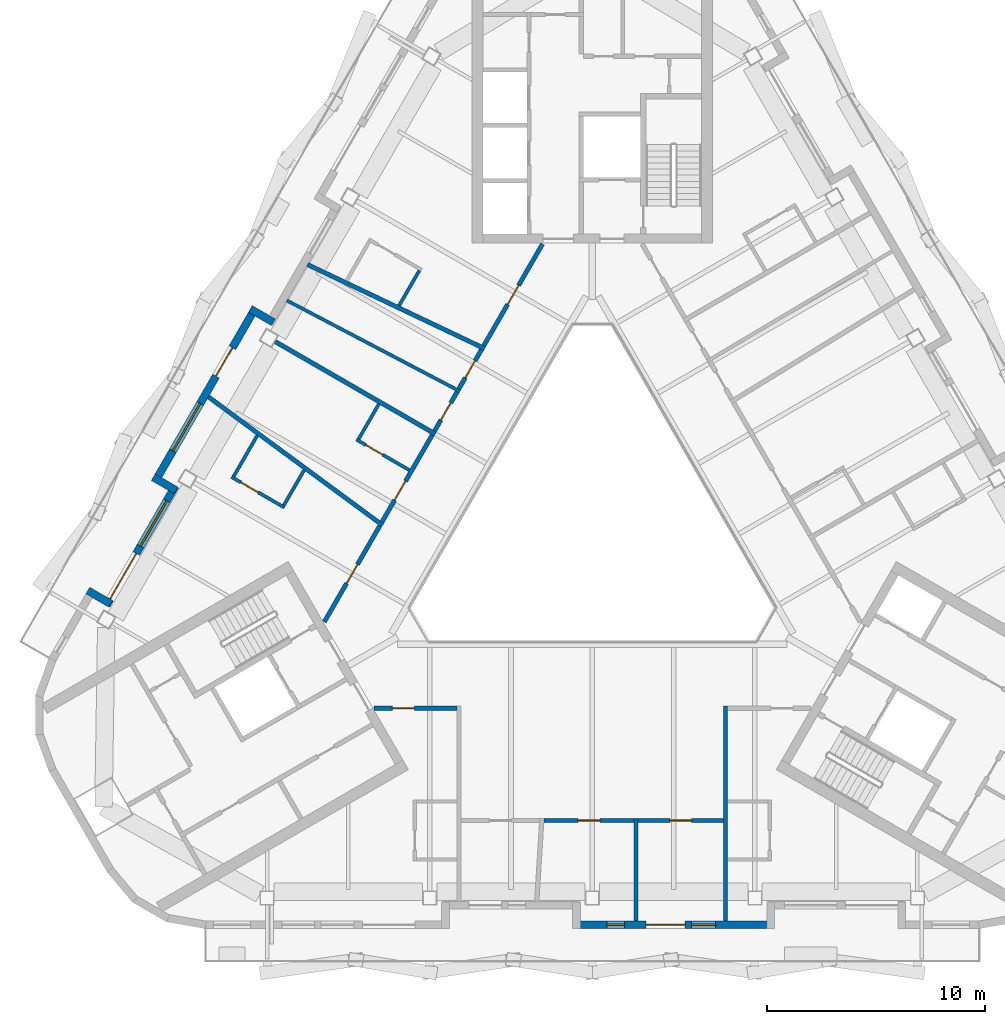
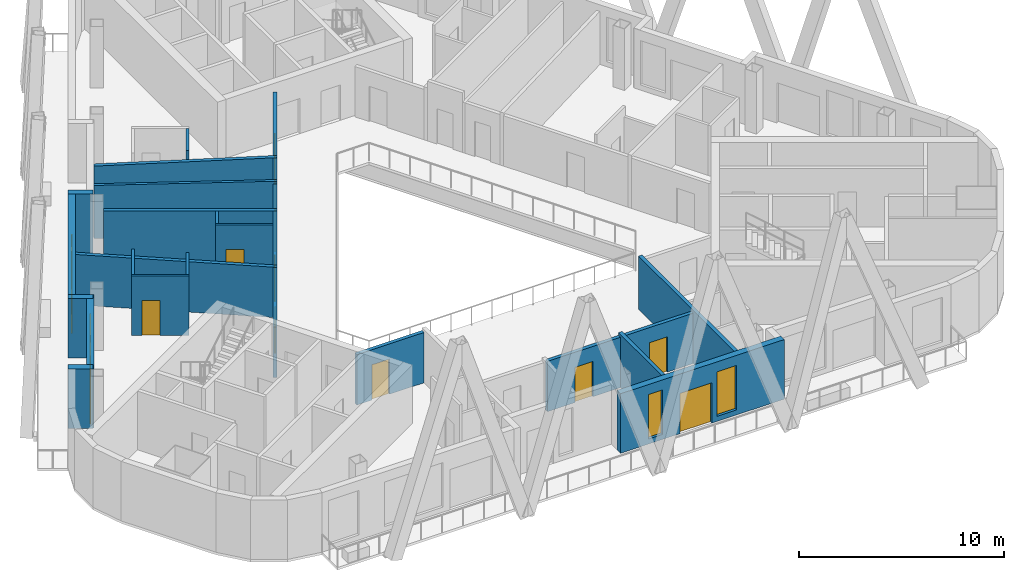
# One storey, part 4 of 14: 26 walls, 13 doors, 4 windows, 17 openings.
"""IFC4 building model written with IfcOpenShell, lengths in metres."""

from ifc_helpers import new_model, si_unit, direction, frame, frame_2d, origin, place, context, subcontext, project, spatial, rectangle, extrude, material, layer, layer_set, type_object, element, fill, save


model = new_model("IFC4")

# Units and contexts
model_context = context("Model", 3, precision=1e-05, world=origin(), true_north=direction((0.0, 1.0)))
body_context = subcontext(model_context, "Body", "Model", "MODEL_VIEW")
ifc_project = project(units=[si_unit("LENGTHUNIT", "METRE"), si_unit("AREAUNIT", "SQUARE_METRE"), si_unit("VOLUMEUNIT", "CUBIC_METRE"), si_unit("PLANEANGLEUNIT", "RADIAN"), si_unit("MASSUNIT", "GRAM", prefix="KILO")], contexts=[model_context])

# Site, building, storey
site_placement = place(None, origin())
site = spatial("IfcSite", under=ifc_project, at=site_placement, CompositionType="ELEMENT")
building_placement = place(site_placement, origin())
building = spatial("IfcBuilding", under=site, at=building_placement, Name="Apuvela Tower Hotel", CompositionType="ELEMENT")
storey_placement = place(building_placement, frame((0.0, 0.0, 268.89990234375)))
storey = spatial("IfcBuildingStorey", under=building, at=storey_placement, Name="L66", CompositionType="ELEMENT", Elevation=268.89990234375)

# Wall
ifc_material_1 = material(Name="Concrete C40/50, dark pigmented precast panel", Category="concrete")
ifc_layer_1 = layer(ifc_material_1, 0.35009765625)
ifc_layer_set_1 = layer_set([ifc_layer_1], Name="ENV-WALL-350")
wall_type_1 = type_object("IfcWallType", Name="ENV-WALL-350", PredefinedType="SOLIDWALL", material=ifc_layer_set_1)
wall_1_placement = place(storey_placement, frame((-14.5986328125, 9.265625, 0.0), z_axis=(0.0, 0.0, 1.0), x_axis=(-0.866005645448, 0.500034220881, 0.0)))
element("IfcWall", 1, at=wall_1_placement, inside=storey, type_object=wall_type_1, Name="External wall L66-04", PredefinedType="SOLIDWALL", context=body_context, shape_type="SweptSolid", body=[
    extrude(rectangle(XDim=1.22021484375, YDim=0.35009765625, at=frame_2d((0.610107421875, 0.0))), origin(), (0.0, 0.0, 1.0), 3.550048828125),
])

# Wall, openings, door, window
wall_2_placement = place(storey_placement, frame((-15.416259765625, 9.939697265625, 0.0), z_axis=(0.0, 0.0, 1.0), x_axis=(-0.500005190411, -0.866022407078, 0.0)))
wall_2 = element("IfcWall", 2, at=wall_2_placement, inside=storey, type_object=wall_type_1, Name="External wall L66-05", PredefinedType="SOLIDWALL", context=body_context, shape_type="SweptSolid", body=[
    extrude(rectangle(XDim=9.24365234375, YDim=0.35009765625, at=frame_2d((4.621826171875, 0.0))), origin(), (0.0, 0.0, 1.0), 3.550048828125),
])
opening_1_placement = place(wall_2_placement, frame((2.12353515625, 0.0, 0.0)))
opening_1 = element("IfcOpeningElement", 3, at=opening_1_placement, cuts=wall_2, Name="Opening BD15", PredefinedType="OPENING", context=body_context, shape_type="SweptSolid", body=[
    extrude(rectangle(XDim=1.5, YDim=2.39990234375, at=frame_2d((0.75, 1.199951171875))), frame((0.0, 0.18505859375, 0.0), z_axis=(0.0, -1.0, 0.0), x_axis=(1.0, 0.0, 0.0)), (0.0, 0.0, 1.0), 0.3701171875),
])
opening_2_placement = place(wall_2_placement, frame((5.072265625, 0.0, 0.300048828125)))
opening_2 = element("IfcOpeningElement", 4, at=opening_2_placement, cuts=wall_2, Name="Opening WN25", PredefinedType="OPENING", context=body_context, shape_type="SweptSolid", body=[
    extrude(rectangle(XDim=2.5, YDim=2.64990234375, at=frame_2d((1.25, 1.324951171875))), frame((0.0, 0.18505859375, 0.0), z_axis=(0.0, -1.0, 0.0), x_axis=(1.0, 0.0, 0.0)), (0.0, 0.0, 1.0), 0.3701171875),
])
ifc_material_2 = material(Name="Aluminium 6063-T6, dark bronze anodised frame with dark tinted laminated glass", Category="aluminium")
door_type_1 = type_object("IfcDoorType", Name="ENV-DOOR-BALCONY-1500x2400", OperationType="SLIDING_TO_LEFT", PredefinedType="DOOR", material=ifc_material_2)
door_1_placement = place(opening_1_placement, frame((1.5, 0.0, 0.0), z_axis=(0.0, 0.0, 1.0), x_axis=(-1.0, 0.0, 0.0)))
door_1 = element("IfcDoor", 5, at=door_1_placement, inside=storey, type_object=door_type_1, Name="Balcony door BD15", OperationType="SLIDING_TO_LEFT", OverallHeight=2.39990234375, OverallWidth=1.5, PredefinedType="DOOR", context=body_context, shape_type="SweptSolid", body=[
    extrude(rectangle(XDim=1.5, YDim=2.39990234375, at=frame_2d((0.75, 1.199951171875))), frame((0.0, 0.02490234375, 0.0), z_axis=(0.0, -1.0, 0.0), x_axis=(1.0, 0.0, 0.0)), (0.0, 0.0, 1.0), 0.050048828125),
])
fill(opening_1, door_1)
ifc_material_3 = material(Name="Glass, dark tinted laminated insulated glazing unit", Category="glass")
window_type_1 = type_object("IfcWindowType", Name="ENV-WIN-2500x2650", PartitioningType="SINGLE_PANEL", PredefinedType="WINDOW", material=ifc_material_3)
window_1_placement = place(opening_2_placement, origin())
window_1 = element("IfcWindow", 6, at=window_1_placement, inside=storey, type_object=window_type_1, Name="Window WN25", OverallHeight=2.64990234375, OverallWidth=2.5, PartitioningType="SINGLE_PANEL", PredefinedType="WINDOW", context=body_context, shape_type="SweptSolid", body=[
    extrude(rectangle(XDim=2.5, YDim=2.64990234375, at=frame_2d((1.25, 1.324951171875))), frame((0.0, 0.030029296875, 0.0), z_axis=(0.0, -1.0, 0.0), x_axis=(1.0, 0.0, 0.0)), (0.0, 0.0, 1.0), 0.06005859375),
])
fill(opening_2, window_1)

# Wall
wall_3_placement = place(storey_placement, frame((-20.10205078125, 2.173583984375, 0.0), z_axis=(0.0, 0.0, 1.0), x_axis=(0.866092288191, -0.499884134912, 0.0)))
element("IfcWall", 7, at=wall_3_placement, inside=storey, type_object=wall_type_1, Name="External wall L66-06", PredefinedType="SOLIDWALL", context=body_context, shape_type="SweptSolid", body=[
    extrude(rectangle(XDim=1.219970703125, YDim=0.35009765625, at=frame_2d((0.60986328125, 0.0))), origin(), (0.0, 0.0, 1.0), 3.550048828125),
])

# Wall, openings, door, window
wall_4_placement = place(storey_placement, frame((-19.0986328125, 1.76171875, 0.0), z_axis=(0.0, 0.0, 1.0), x_axis=(-0.500012817413, -0.866018003521, 0.0)))
wall_4 = element("IfcWall", 8, at=wall_4_placement, inside=storey, type_object=wall_type_1, Name="External wall L66-07", PredefinedType="SOLIDWALL", context=body_context, shape_type="SweptSolid", body=[
    extrude(rectangle(XDim=6.283447265625, YDim=0.35009765625, at=frame_2d((3.1416015625, 0.0))), origin(), (0.0, 0.0, 1.0), 3.550048828125),
])
opening_3_placement = place(wall_4_placement, frame((3.56298828125, 0.0, 0.0)))
opening_3 = element("IfcOpeningElement", 9, at=opening_3_placement, cuts=wall_4, Name="Opening BD24", PredefinedType="OPENING", context=body_context, shape_type="SweptSolid", body=[
    extrude(rectangle(XDim=2.39990234375, YDim=2.39990234375, at=frame_2d((1.199951171875, 1.199951171875))), frame((0.0, 0.18505859375, 0.0), z_axis=(0.0, -1.0, 0.0), x_axis=(1.0, 0.0, 0.0)), (0.0, 0.0, 1.0), 0.3701171875),
])
opening_4_placement = place(wall_4_placement, frame((0.77001953125, 0.0, 0.300048828125)))
opening_4 = element("IfcOpeningElement", 10, at=opening_4_placement, cuts=wall_4, Name="Opening WN24", PredefinedType="OPENING", context=body_context, shape_type="SweptSolid", body=[
    extrude(rectangle(XDim=2.39990234375, YDim=2.64990234375, at=frame_2d((1.199951171875, 1.324951171875))), frame((0.0, 0.18505859375, 0.0), z_axis=(0.0, -1.0, 0.0), x_axis=(1.0, 0.0, 0.0)), (0.0, 0.0, 1.0), 0.3701171875),
])
door_type_2 = type_object("IfcDoorType", Name="ENV-DOOR-BALCONY-2400x2400", OperationType="SLIDING_TO_LEFT", PredefinedType="DOOR", material=ifc_material_2)
door_2_placement = place(opening_3_placement, frame((2.39990234375, 0.0, 0.0), z_axis=(0.0, 0.0, 1.0), x_axis=(-1.0, 0.0, 0.0)))
door_2 = element("IfcDoor", 11, at=door_2_placement, inside=storey, type_object=door_type_2, Name="Balcony door BD24", OperationType="SLIDING_TO_LEFT", OverallHeight=2.39990234375, OverallWidth=2.39990234375, PredefinedType="DOOR", context=body_context, shape_type="SweptSolid", body=[
    extrude(rectangle(XDim=2.39990234375, YDim=2.39990234375, at=frame_2d((1.199951171875, 1.199951171875))), frame((0.0, 0.02490234375, 0.0), z_axis=(0.0, -1.0, 0.0), x_axis=(1.0, 0.0, 0.0)), (0.0, 0.0, 1.0), 0.050048828125),
])
fill(opening_3, door_2)
window_type_2 = type_object("IfcWindowType", Name="ENV-WIN-2400x2650", PartitioningType="SINGLE_PANEL", PredefinedType="WINDOW", material=ifc_material_3)
window_2_placement = place(opening_4_placement, origin())
window_2 = element("IfcWindow", 12, at=window_2_placement, inside=storey, type_object=window_type_2, Name="Window WN24", OverallHeight=2.64990234375, OverallWidth=2.39990234375, PartitioningType="SINGLE_PANEL", PredefinedType="WINDOW", context=body_context, shape_type="SweptSolid", body=[
    extrude(rectangle(XDim=2.39990234375, YDim=2.64990234375, at=frame_2d((1.199951171875, 1.324951171875))), frame((0.0, 0.030029296875, 0.0), z_axis=(0.0, -1.0, 0.0), x_axis=(1.0, 0.0, 0.0)), (0.0, 0.0, 1.0), 0.06005859375),
])
fill(opening_4, window_2)

# Wall
wall_5_placement = place(storey_placement, frame((-22.042236328125, -3.626953125, 0.0), z_axis=(0.0, 0.0, 1.0), x_axis=(-0.866005645448, 0.500034220881, 0.0)))
element("IfcWall", 13, at=wall_5_placement, inside=storey, type_object=wall_type_1, Name="External wall L66-08", PredefinedType="SOLIDWALL", context=body_context, shape_type="SweptSolid", body=[
    extrude(rectangle(XDim=1.22021484375, YDim=0.35009765625, at=frame_2d((0.610107421875, 0.0))), origin(), (0.0, 0.0, 1.0), 3.550048828125),
])

# Wall, openings, door, windows
wall_6_placement = place(storey_placement, frame((-0.89990234375, -18.32080078125, 0.0), z_axis=(0.0, 0.0, 1.0), x_axis=(1.0, 0.0, 0.0)))
wall_6 = element("IfcWall", 14, at=wall_6_placement, inside=storey, type_object=wall_type_1, Name="External wall L66-21", PredefinedType="SOLIDWALL", context=body_context, shape_type="SweptSolid", body=[
    extrude(rectangle(XDim=9.243408203125, YDim=0.35009765625, at=frame_2d((4.62158203125, 0.0))), origin(), (0.0, 0.0, 1.0), 3.550048828125),
])
opening_5_placement = place(wall_6_placement, frame((1.5751953125, 0.0, 0.300048828125)))
opening_5 = element("IfcOpeningElement", 15, at=opening_5_placement, cuts=wall_6, Name="Opening WN08", PredefinedType="OPENING", context=body_context, shape_type="SweptSolid", body=[
    extrude(rectangle(XDim=0.800048828125, YDim=2.64990234375, at=frame_2d((0.39990234375, 1.324951171875))), frame((0.0, 0.18505859375, 0.0), z_axis=(0.0, -1.0, 0.0), x_axis=(1.0, 0.0, 0.0)), (0.0, 0.0, 1.0), 0.3701171875),
])
opening_6_placement = place(wall_6_placement, frame((3.349609375, 0.0, 0.0)))
opening_6 = element("IfcOpeningElement", 16, at=opening_6_placement, cuts=wall_6, Name="Opening BD18", PredefinedType="OPENING", context=body_context, shape_type="SweptSolid", body=[
    extrude(rectangle(XDim=1.800048828125, YDim=2.39990234375, at=frame_2d((0.89990234375, 1.199951171875))), frame((0.0, 0.18505859375, 0.0), z_axis=(0.0, -1.0, 0.0), x_axis=(1.0, 0.0, 0.0)), (0.0, 0.0, 1.0), 0.3701171875),
])
opening_7_placement = place(wall_6_placement, frame((5.44970703125, 0.0, 0.300048828125)))
opening_7 = element("IfcOpeningElement", 17, at=opening_7_placement, cuts=wall_6, Name="Opening WN11", PredefinedType="OPENING", context=body_context, shape_type="SweptSolid", body=[
    extrude(rectangle(XDim=1.10009765625, YDim=2.64990234375, at=frame_2d((0.550048828125, 1.324951171875))), frame((0.0, 0.18505859375, 0.0), z_axis=(0.0, -1.0, 0.0), x_axis=(1.0, 0.0, 0.0)), (0.0, 0.0, 1.0), 0.3701171875),
])
door_type_3 = type_object("IfcDoorType", Name="ENV-DOOR-BALCONY-1800x2400", OperationType="SLIDING_TO_LEFT", PredefinedType="DOOR", material=ifc_material_2)
door_3_placement = place(opening_6_placement, frame((1.800048828125, 0.0, 0.0), z_axis=(0.0, 0.0, 1.0), x_axis=(-1.0, 0.0, 0.0)))
door_3 = element("IfcDoor", 18, at=door_3_placement, inside=storey, type_object=door_type_3, Name="Balcony door BD18", OperationType="SLIDING_TO_LEFT", OverallHeight=2.39990234375, OverallWidth=1.800048828125, PredefinedType="DOOR", context=body_context, shape_type="SweptSolid", body=[
    extrude(rectangle(XDim=1.800048828125, YDim=2.39990234375, at=frame_2d((0.89990234375, 1.199951171875))), frame((0.0, 0.02490234375, 0.0), z_axis=(0.0, -1.0, 0.0), x_axis=(1.0, 0.0, 0.0)), (0.0, 0.0, 1.0), 0.050048828125),
])
fill(opening_6, door_3)
window_type_3 = type_object("IfcWindowType", Name="ENV-WIN-1100x2650", PartitioningType="SINGLE_PANEL", PredefinedType="WINDOW", material=ifc_material_3)
window_3_placement = place(opening_7_placement, origin())
window_3 = element("IfcWindow", 19, at=window_3_placement, inside=storey, type_object=window_type_3, Name="Window WN11", OverallHeight=2.64990234375, OverallWidth=1.10009765625, PartitioningType="SINGLE_PANEL", PredefinedType="WINDOW", context=body_context, shape_type="SweptSolid", body=[
    extrude(rectangle(XDim=1.10009765625, YDim=2.64990234375, at=frame_2d((0.550048828125, 1.324951171875))), frame((0.0, 0.030029296875, 0.0), z_axis=(0.0, -1.0, 0.0), x_axis=(1.0, 0.0, 0.0)), (0.0, 0.0, 1.0), 0.06005859375),
])
fill(opening_7, window_3)
window_type_4 = type_object("IfcWindowType", Name="ENV-WIN-800x2650", PartitioningType="SINGLE_PANEL", PredefinedType="WINDOW", material=ifc_material_3)
window_4_placement = place(opening_5_placement, origin())
window_4 = element("IfcWindow", 20, at=window_4_placement, inside=storey, type_object=window_type_4, Name="Window WN08", OverallHeight=2.64990234375, OverallWidth=0.800048828125, PartitioningType="SINGLE_PANEL", PredefinedType="WINDOW", context=body_context, shape_type="SweptSolid", body=[
    extrude(rectangle(XDim=0.800048828125, YDim=2.64990234375, at=frame_2d((0.39990234375, 1.324951171875))), frame((0.0, 0.030029296875, 0.0), z_axis=(0.0, -1.0, 0.0), x_axis=(1.0, 0.0, 0.0)), (0.0, 0.0, 1.0), 0.06005859375),
])
fill(opening_5, window_4)

# Walls
ifc_material_4 = material(Name="Gypsum board partition on twin steel stud", Category="steel")
ifc_layer_2 = layer(ifc_material_4, 0.199951171875)
ifc_layer_set_2 = layer_set([ifc_layer_2], Name="GST-PW1")
wall_type_2 = type_object("IfcWallType", Name="GST-PW1", PredefinedType="PARTITIONING", material=ifc_layer_set_2)
wall_7_placement = place(storey_placement, frame((2.0, -18.145751953125, 0.0), z_axis=(0.0, 0.0, 1.0), x_axis=(0.0, 1.0, 0.0)))
element("IfcWall", 21, at=wall_7_placement, inside=storey, type_object=wall_type_2, Name="L66 partition 03", PredefinedType="PARTITIONING", context=body_context, shape_type="SweptSolid", body=[
    extrude(rectangle(XDim=4.699951171875, YDim=0.199951171875, at=frame_2d((2.35009765625, 0.0))), origin(), (0.0, 0.0, 1.0), 3.16015625),
])
wall_8_placement = place(storey_placement, frame((6.10009765625, -18.145751953125, 0.0), z_axis=(0.0, 0.0, 1.0), x_axis=(0.0, 1.0, 0.0)))
element("IfcWall", 22, at=wall_8_placement, inside=storey, type_object=wall_type_2, Name="L66 partition 04", PredefinedType="PARTITIONING", context=body_context, shape_type="SweptSolid", body=[
    extrude(rectangle(XDim=9.845703125, YDim=0.199951171875, at=frame_2d((4.9228515625, 0.0))), origin(), (0.0, 0.0, 1.0), 3.16015625),
])
wall_9_placement = place(storey_placement, frame((-13.0380859375, 11.908935546875, 0.0), z_axis=(0.0, 0.0, 1.0), x_axis=(0.903427417518, -0.428741065536, 0.0)))
element("IfcWall", 23, at=wall_9_placement, inside=storey, type_object=wall_type_2, Name="L66 partition 08", PredefinedType="PARTITIONING", context=body_context, shape_type="SweptSolid", body=[
    extrude(rectangle(XDim=8.974853515625, YDim=0.199951171875, at=frame_2d((4.4873046875, 0.0))), origin(), (0.0, 0.0, 1.0), 3.0),
])
wall_10_placement = place(storey_placement, frame((-14.52392578125, 8.385498046875, 0.0), z_axis=(0.0, 0.0, 1.0), x_axis=(0.866015680395, -0.500016841027, 0.0)))
element("IfcWall", 24, at=wall_10_placement, inside=storey, type_object=wall_type_2, Name="L66 partition 09", PredefinedType="PARTITIONING", context=body_context, shape_type="SweptSolid", body=[
    extrude(rectangle(XDim=8.470947265625, YDim=0.199951171875, at=frame_2d((4.2353515625, 0.0))), origin(), (0.0, 0.0, 1.0), 3.0),
])
wall_11_placement = place(storey_placement, frame((-17.57568359375, 5.849609375, 0.0), z_axis=(0.0, 0.0, 1.0), x_axis=(0.805127680306, -0.593101524535, 0.0)))
element("IfcWall", 25, at=wall_11_placement, inside=storey, type_object=wall_type_2, Name="L66 partition 10", PredefinedType="PARTITIONING", context=body_context, shape_type="SweptSolid", body=[
    extrude(rectangle(XDim=9.9072265625, YDim=0.199951171875, at=frame_2d((4.95361328125, 0.0))), origin(), (0.0, 0.0, 1.0), 3.0),
])

# Wall, opening, door
ifc_material_5 = material(Name="Gypsum board corridor wall on twin steel stud, acoustic", Category="steel")
ifc_layer_3 = layer(ifc_material_5, 0.199951171875)
ifc_layer_set_3 = layer_set([ifc_layer_3], Name="GST-PW2")
wall_type_3 = type_object("IfcWallType", Name="GST-PW2", PredefinedType="PARTITIONING", material=ifc_layer_set_3)
wall_12_placement = place(storey_placement, frame((-6.199951171875, -8.39990234375, 0.0), z_axis=(0.0, 0.0, 1.0), x_axis=(-1.0, 0.0, 0.0)))
wall_12 = element("IfcWall", 26, at=wall_12_placement, inside=storey, type_object=wall_type_3, Name="L66 partition 11", PredefinedType="PARTITIONING", context=body_context, shape_type="SweptSolid", body=[
    extrude(rectangle(XDim=3.788330078125, YDim=0.199951171875, at=frame_2d((1.89404296875, 0.0))), origin(), (0.0, 0.0, 1.0), 3.0),
])
opening_8_placement = place(wall_12_placement, frame((1.949951171875, 0.0, 0.0)))
opening_8 = element("IfcOpeningElement", 27, at=opening_8_placement, cuts=wall_12, Name="Opening GD26-02", PredefinedType="OPENING", context=body_context, shape_type="SweptSolid", body=[
    extrude(rectangle(XDim=1.0, YDim=2.10009765625, at=frame_2d((0.5, 1.050048828125))), frame((0.0, 0.10986328125, 0.0), z_axis=(0.0, -1.0, 0.0), x_axis=(1.0, 0.0, 0.0)), (0.0, 0.0, 1.0), 0.219970703125),
])
ifc_material_6 = material(Name="Timber door leaf in steel frame", Category="steel")
door_type_4 = type_object("IfcDoorType", Name="GST-D1", OperationType="NOTDEFINED", PredefinedType="DOOR", material=ifc_material_6)
door_4_placement = place(opening_8_placement, origin())
door_4 = element("IfcDoor", 28, at=door_4_placement, inside=storey, type_object=door_type_4, Name="Door L66-02", OperationType="SINGLE_SWING_LEFT", OverallHeight=2.10009765625, OverallWidth=1.0, PredefinedType="DOOR", context=body_context, shape_type="SweptSolid", body=[
    extrude(rectangle(XDim=1.0, YDim=2.10009765625, at=frame_2d((0.5, 1.050048828125))), frame((0.0, 0.02490234375, 0.0), z_axis=(0.0, -1.0, 0.0), x_axis=(1.0, 0.0, 0.0)), (0.0, 0.0, 1.0), 0.050048828125),
])
fill(opening_8, door_4)

wall_13_placement = place(storey_placement, frame((1.89990234375, -13.5458984375, 0.0), z_axis=(0.0, 0.0, 1.0), x_axis=(-1.0, 0.0, 0.0)))
wall_13 = element("IfcWall", 29, at=wall_13_placement, inside=storey, type_object=wall_type_3, Name="L66 partition 16", PredefinedType="PARTITIONING", context=body_context, shape_type="SweptSolid", body=[
    extrude(rectangle(XDim=4.113525390625, YDim=0.199951171875, at=frame_2d((2.056640625, 0.0))), origin(), (0.0, 0.0, 1.0), 3.0),
])
opening_9_placement = place(wall_13_placement, frame((1.556884765625, 0.0, 0.0)))
opening_9 = element("IfcOpeningElement", 30, at=opening_9_placement, cuts=wall_13, Name="Opening GD26-04", PredefinedType="OPENING", context=body_context, shape_type="SweptSolid", body=[
    extrude(rectangle(XDim=1.0, YDim=2.10009765625, at=frame_2d((0.5, 1.050048828125))), frame((0.0, 0.10986328125, 0.0), z_axis=(0.0, -1.0, 0.0), x_axis=(1.0, 0.0, 0.0)), (0.0, 0.0, 1.0), 0.219970703125),
])
door_5_placement = place(opening_9_placement, origin())
door_5 = element("IfcDoor", 31, at=door_5_placement, inside=storey, type_object=door_type_4, Name="Door L66-04", OperationType="SINGLE_SWING_LEFT", OverallHeight=2.10009765625, OverallWidth=1.0, PredefinedType="DOOR", context=body_context, shape_type="SweptSolid", body=[
    extrude(rectangle(XDim=1.0, YDim=2.10009765625, at=frame_2d((0.5, 1.050048828125))), frame((0.0, 0.02490234375, 0.0), z_axis=(0.0, -1.0, 0.0), x_axis=(1.0, 0.0, 0.0)), (0.0, 0.0, 1.0), 0.050048828125),
])
fill(opening_9, door_5)

wall_14_placement = place(storey_placement, frame((6.0, -13.5458984375, 0.0), z_axis=(0.0, 0.0, 1.0), x_axis=(-1.0, 0.0, 0.0)))
wall_14 = element("IfcWall", 32, at=wall_14_placement, inside=storey, type_object=wall_type_3, Name="L66 partition 17", PredefinedType="PARTITIONING", context=body_context, shape_type="SweptSolid", body=[
    extrude(rectangle(XDim=3.89990234375, YDim=0.199951171875, at=frame_2d((1.949951171875, 0.0))), origin(), (0.0, 0.0, 1.0), 3.0),
])
opening_10_placement = place(wall_14_placement, frame((1.449951171875, 0.0, 0.0)))
opening_10 = element("IfcOpeningElement", 33, at=opening_10_placement, cuts=wall_14, Name="Opening GD26-05", PredefinedType="OPENING", context=body_context, shape_type="SweptSolid", body=[
    extrude(rectangle(XDim=1.0, YDim=2.10009765625, at=frame_2d((0.5, 1.050048828125))), frame((0.0, 0.10986328125, 0.0), z_axis=(0.0, -1.0, 0.0), x_axis=(1.0, 0.0, 0.0)), (0.0, 0.0, 1.0), 0.219970703125),
])
door_6_placement = place(opening_10_placement, origin())
door_6 = element("IfcDoor", 34, at=door_6_placement, inside=storey, type_object=door_type_4, Name="Door L66-05", OperationType="SINGLE_SWING_LEFT", OverallHeight=2.10009765625, OverallWidth=1.0, PredefinedType="DOOR", context=body_context, shape_type="SweptSolid", body=[
    extrude(rectangle(XDim=1.0, YDim=2.10009765625, at=frame_2d((0.5, 1.050048828125))), frame((0.0, 0.02490234375, 0.0), z_axis=(0.0, -1.0, 0.0), x_axis=(1.0, 0.0, 0.0)), (0.0, 0.0, 1.0), 0.050048828125),
])
fill(opening_10, door_6)

wall_15_placement = place(storey_placement, frame((-4.970458984375, 8.19091796875, 0.0), z_axis=(0.0, 0.0, 1.0), x_axis=(0.499994808408, 0.866028401131, 0.0)))
wall_15 = element("IfcWall", 35, at=wall_15_placement, inside=storey, type_object=wall_type_3, Name="L66 partition 36", PredefinedType="PARTITIONING", context=body_context, shape_type="SweptSolid", body=[
    extrude(rectangle(XDim=5.3798828125, YDim=0.199951171875, at=frame_2d((2.68994140625, 0.0))), origin(), (0.0, 0.0, 1.0), 3.0),
])
opening_11_placement = place(wall_15_placement, frame((2.18994140625, 0.0, 0.0)))
opening_11 = element("IfcOpeningElement", 36, at=opening_11_placement, cuts=wall_15, Name="Opening GD26-17", PredefinedType="OPENING", context=body_context, shape_type="SweptSolid", body=[
    extrude(rectangle(XDim=1.0, YDim=2.10009765625, at=frame_2d((0.5, 1.050048828125))), frame((0.0, 0.10986328125, 0.0), z_axis=(0.0, -1.0, 0.0), x_axis=(1.0, 0.0, 0.0)), (0.0, 0.0, 1.0), 0.219970703125),
])
door_7_placement = place(opening_11_placement, origin())
door_7 = element("IfcDoor", 37, at=door_7_placement, inside=storey, type_object=door_type_4, Name="Door L66-17", OperationType="SINGLE_SWING_LEFT", OverallHeight=2.10009765625, OverallWidth=1.0, PredefinedType="DOOR", context=body_context, shape_type="SweptSolid", body=[
    extrude(rectangle(XDim=1.0, YDim=2.10009765625, at=frame_2d((0.5, 1.050048828125))), frame((0.0, 0.02490234375, 0.0), z_axis=(0.0, -1.0, 0.0), x_axis=(1.0, 0.0, 0.0)), (0.0, 0.0, 1.0), 0.050048828125),
])
fill(opening_11, door_7)

wall_16_placement = place(storey_placement, frame((-6.110107421875, 6.217041015625, 0.0), z_axis=(0.0, 0.0, 1.0), x_axis=(0.500017307165, 0.866015411258, 0.0)))
wall_16 = element("IfcWall", 38, at=wall_16_placement, inside=storey, type_object=wall_type_3, Name="L66 partition 41", PredefinedType="PARTITIONING", context=body_context, shape_type="SweptSolid", body=[
    extrude(rectangle(XDim=2.07861328125, YDim=0.199951171875, at=frame_2d((1.039306640625, 0.0))), origin(), (0.0, 0.0, 1.0), 3.0),
])
opening_12_placement = place(wall_16_placement, frame((0.58935546875, 0.0, 0.0)))
opening_12 = element("IfcOpeningElement", 39, at=opening_12_placement, cuts=wall_16, Name="Opening GD26-18", PredefinedType="OPENING", context=body_context, shape_type="SweptSolid", body=[
    extrude(rectangle(XDim=0.89990234375, YDim=2.10009765625, at=frame_2d((0.449951171875, 1.050048828125))), frame((0.0, 0.10986328125, 0.0), z_axis=(0.0, -1.0, 0.0), x_axis=(1.0, 0.0, 0.0)), (0.0, 0.0, 1.0), 0.219970703125),
])
door_type_5 = type_object("IfcDoorType", Name="GST-D2", OperationType="NOTDEFINED", PredefinedType="DOOR", material=ifc_material_6)
door_8_placement = place(opening_12_placement, origin())
door_8 = element("IfcDoor", 40, at=door_8_placement, inside=storey, type_object=door_type_5, Name="Door L66-18", OperationType="SINGLE_SWING_LEFT", OverallHeight=2.10009765625, OverallWidth=0.89990234375, PredefinedType="DOOR", context=body_context, shape_type="SweptSolid", body=[
    extrude(rectangle(XDim=0.89990234375, YDim=2.10009765625, at=frame_2d((0.449951171875, 1.050048828125))), frame((0.0, 0.02490234375, 0.0), z_axis=(0.0, -1.0, 0.0), x_axis=(1.0, 0.0, 0.0)), (0.0, 0.0, 1.0), 0.050048828125),
])
fill(opening_12, door_8)

wall_17_placement = place(storey_placement, frame((-7.224609375, 4.28662109375, 0.0), z_axis=(0.0, 0.0, 1.0), x_axis=(0.500003678222, 0.866023280152, 0.0)))
wall_17 = element("IfcWall", 41, at=wall_17_placement, inside=storey, type_object=wall_type_3, Name="L66 partition 42", PredefinedType="PARTITIONING", context=body_context, shape_type="SweptSolid", body=[
    extrude(rectangle(XDim=2.0791015625, YDim=0.199951171875, at=frame_2d((1.03955078125, 0.0))), origin(), (0.0, 0.0, 1.0), 3.0),
])
opening_13_placement = place(wall_17_placement, frame((0.589599609375, 0.0, 0.0)))
opening_13 = element("IfcOpeningElement", 42, at=opening_13_placement, cuts=wall_17, Name="Opening GD26-19", PredefinedType="OPENING", context=body_context, shape_type="SweptSolid", body=[
    extrude(rectangle(XDim=0.89990234375, YDim=2.10009765625, at=frame_2d((0.449951171875, 1.050048828125))), frame((0.0, 0.10986328125, 0.0), z_axis=(0.0, -1.0, 0.0), x_axis=(1.0, 0.0, 0.0)), (0.0, 0.0, 1.0), 0.219970703125),
])
door_9_placement = place(opening_13_placement, origin())
door_9 = element("IfcDoor", 43, at=door_9_placement, inside=storey, type_object=door_type_5, Name="Door L66-19", OperationType="SINGLE_SWING_RIGHT", OverallHeight=2.10009765625, OverallWidth=0.89990234375, PredefinedType="DOOR", context=body_context, shape_type="SweptSolid", body=[
    extrude(rectangle(XDim=0.89990234375, YDim=2.10009765625, at=frame_2d((0.449951171875, 1.050048828125))), frame((0.0, 0.02490234375, 0.0), z_axis=(0.0, -1.0, 0.0), x_axis=(1.0, 0.0, 0.0)), (0.0, 0.0, 1.0), 0.050048828125),
])
fill(opening_13, door_9)

wall_18_placement = place(storey_placement, frame((-9.6298828125, 0.12060546875, 0.0), z_axis=(0.0, 0.0, 1.0), x_axis=(0.500000544019, 0.866025089694, 0.0)))
wall_18 = element("IfcWall", 44, at=wall_18_placement, inside=storey, type_object=wall_type_3, Name="L66 partition 43", PredefinedType="PARTITIONING", context=body_context, shape_type="SweptSolid", body=[
    extrude(rectangle(XDim=4.6103515625, YDim=0.199951171875, at=frame_2d((2.30517578125, 0.0))), origin(), (0.0, 0.0, 1.0), 3.0),
])
opening_14_placement = place(wall_18_placement, frame((1.16064453125, 0.0, 0.0)))
opening_14 = element("IfcOpeningElement", 45, at=opening_14_placement, cuts=wall_18, Name="Opening GD26-21", PredefinedType="OPENING", context=body_context, shape_type="SweptSolid", body=[
    extrude(rectangle(XDim=1.0, YDim=2.10009765625, at=frame_2d((0.5, 1.050048828125))), frame((0.0, 0.10986328125, 0.0), z_axis=(0.0, -1.0, 0.0), x_axis=(1.0, 0.0, 0.0)), (0.0, 0.0, 1.0), 0.219970703125),
])
door_10_placement = place(opening_14_placement, origin())
door_10 = element("IfcDoor", 46, at=door_10_placement, inside=storey, type_object=door_type_4, Name="Door L66-21", OperationType="SINGLE_SWING_LEFT", OverallHeight=2.10009765625, OverallWidth=1.0, PredefinedType="DOOR", context=body_context, shape_type="SweptSolid", body=[
    extrude(rectangle(XDim=1.0, YDim=2.10009765625, at=frame_2d((0.5, 1.050048828125))), frame((0.0, 0.02490234375, 0.0), z_axis=(0.0, -1.0, 0.0), x_axis=(1.0, 0.0, 0.0)), (0.0, 0.0, 1.0), 0.050048828125),
])
fill(opening_14, door_10)

wall_19_placement = place(storey_placement, frame((-12.268798828125, -4.449951171875, 0.0), z_axis=(0.0, 0.0, 1.0), x_axis=(0.500023578739, 0.866011790165, 0.0)))
wall_19 = element("IfcWall", 47, at=wall_19_placement, inside=storey, type_object=wall_type_3, Name="L66 partition 46", PredefinedType="PARTITIONING", context=body_context, shape_type="SweptSolid", body=[
    extrude(rectangle(XDim=5.076416015625, YDim=0.199951171875, at=frame_2d((2.5380859375, 0.0))), origin(), (0.0, 0.0, 1.0), 3.0),
])
opening_15_placement = place(wall_19_placement, frame((2.0380859375, 0.0, 0.0)))
opening_15 = element("IfcOpeningElement", 48, at=opening_15_placement, cuts=wall_19, Name="Opening GD26-23", PredefinedType="OPENING", context=body_context, shape_type="SweptSolid", body=[
    extrude(rectangle(XDim=1.0, YDim=2.10009765625, at=frame_2d((0.5, 1.050048828125))), frame((0.0, 0.10986328125, 0.0), z_axis=(0.0, -1.0, 0.0), x_axis=(1.0, 0.0, 0.0)), (0.0, 0.0, 1.0), 0.219970703125),
])
door_11_placement = place(opening_15_placement, origin())
door_11 = element("IfcDoor", 49, at=door_11_placement, inside=storey, type_object=door_type_4, Name="Door L66-23", OperationType="SINGLE_SWING_RIGHT", OverallHeight=2.10009765625, OverallWidth=1.0, PredefinedType="DOOR", context=body_context, shape_type="SweptSolid", body=[
    extrude(rectangle(XDim=1.0, YDim=2.10009765625, at=frame_2d((0.5, 1.050048828125))), frame((0.0, 0.02490234375, 0.0), z_axis=(0.0, -1.0, 0.0), x_axis=(1.0, 0.0, 0.0)), (0.0, 0.0, 1.0), 0.050048828125),
])
fill(opening_15, door_11)

# Walls
ifc_material_7 = material(Name="Moisture-resistant gypsum board wet wall on steel stud", Category="steel")
ifc_layer_4 = layer(ifc_material_7, 0.14990234375)
ifc_layer_set_4 = layer_set([ifc_layer_4], Name="GST-PW3")
wall_type_4 = type_object("IfcWallType", Name="GST-PW3", PredefinedType="PARTITIONING", material=ifc_layer_set_4)
wall_20_placement = place(storey_placement, frame((-7.9169921875, 11.63720703125, 0.0), z_axis=(0.0, 0.0, 1.0), x_axis=(-0.500071598593, -0.865984062371, 0.0)))
element("IfcWall", 50, at=wall_20_placement, inside=storey, type_object=wall_type_4, Name="L66 partition 39", PredefinedType="PARTITIONING", context=body_context, shape_type="SweptSolid", body=[
    extrude(rectangle(XDim=1.856201171875, YDim=0.14990234375, at=frame_2d((0.92822265625, 0.0))), origin(), (0.0, 0.0, 1.0), 3.550048828125),
])
wall_21_placement = place(storey_placement, frame((-13.98681640625, 10.265869140625, 0.0), z_axis=(0.0, 0.0, 1.0), x_axis=(0.885474206285, -0.464688530097, 0.0)))
element("IfcWall", 51, at=wall_21_placement, inside=storey, type_object=wall_type_4, Name="L66 partition 40", PredefinedType="PARTITIONING", context=body_context, shape_type="SweptSolid", body=[
    extrude(rectangle(XDim=8.953125, YDim=0.14990234375, at=frame_2d((4.4765625, 0.0))), origin(), (0.0, 0.0, 1.0), 3.16015625),
])

# Wall, opening, door
wall_22_placement = place(storey_placement, frame((-10.798583984375, 3.896240234375, 0.0), z_axis=(0.0, 0.0, 1.0), x_axis=(0.866034573852, -0.49998411664, 0.0)))
wall_22 = element("IfcWall", 52, at=wall_22_placement, inside=storey, type_object=wall_type_4, Name="L66 partition 44", PredefinedType="PARTITIONING", context=body_context, shape_type="SweptSolid", body=[
    extrude(rectangle(XDim=2.7998046875, YDim=0.14990234375, at=frame_2d((1.39990234375, 0.0))), origin(), (0.0, 0.0, 1.0), 3.550048828125),
])
opening_16_placement = place(wall_22_placement, frame((0.5, 0.0, 0.0)))
opening_16 = element("IfcOpeningElement", 53, at=opening_16_placement, cuts=wall_22, Name="Opening GD26-20", PredefinedType="OPENING", context=body_context, shape_type="SweptSolid", body=[
    extrude(rectangle(XDim=0.89990234375, YDim=2.10009765625, at=frame_2d((0.449951171875, 1.050048828125))), frame((0.0, 0.0849609375, 0.0), z_axis=(0.0, -1.0, 0.0), x_axis=(1.0, 0.0, 0.0)), (0.0, 0.0, 1.0), 0.169921875),
])
door_12_placement = place(opening_16_placement, origin())
door_12 = element("IfcDoor", 54, at=door_12_placement, inside=storey, type_object=door_type_5, Name="Door L66-20", OperationType="SINGLE_SWING_LEFT", OverallHeight=2.10009765625, OverallWidth=0.89990234375, PredefinedType="DOOR", context=body_context, shape_type="SweptSolid", body=[
    extrude(rectangle(XDim=0.89990234375, YDim=2.10009765625, at=frame_2d((0.449951171875, 1.050048828125))), frame((0.0, 0.02490234375, 0.0), z_axis=(0.0, -1.0, 0.0), x_axis=(1.0, 0.0, 0.0)), (0.0, 0.0, 1.0), 0.050048828125),
])
fill(opening_16, door_12)

# Wall
wall_23_placement = place(storey_placement, frame((-9.77099609375, 5.52587890625, 0.0), z_axis=(0.0, 0.0, 1.0), x_axis=(-0.500042316284, -0.866000971088, 0.0)))
element("IfcWall", 55, at=wall_23_placement, inside=storey, type_object=wall_type_4, Name="L66 partition 45", PredefinedType="PARTITIONING", context=body_context, shape_type="SweptSolid", body=[
    extrude(rectangle(XDim=1.849853515625, YDim=0.14990234375, at=frame_2d((0.9248046875, 0.0))), origin(), (0.0, 0.0, 1.0), 3.0),
])

# Wall, opening, door
wall_24_placement = place(storey_placement, frame((-16.5205078125, 2.185791015625, 0.0), z_axis=(0.0, 0.0, 1.0), x_axis=(0.865996816683, -0.500049511043, 0.0)))
wall_24 = element("IfcWall", 56, at=wall_24_placement, inside=storey, type_object=wall_type_4, Name="L66 partition 47", PredefinedType="PARTITIONING", context=body_context, shape_type="SweptSolid", body=[
    extrude(rectangle(XDim=2.800048828125, YDim=0.14990234375, at=frame_2d((1.39990234375, 0.0))), origin(), (0.0, 0.0, 1.0), 3.550048828125),
])
opening_17_placement = place(wall_24_placement, frame((0.5, 0.0, 0.0)))
opening_17 = element("IfcOpeningElement", 57, at=opening_17_placement, cuts=wall_24, Name="Opening GD26-22", PredefinedType="OPENING", context=body_context, shape_type="SweptSolid", body=[
    extrude(rectangle(XDim=0.89990234375, YDim=2.10009765625, at=frame_2d((0.449951171875, 1.050048828125))), frame((0.0, 0.0849609375, 0.0), z_axis=(0.0, -1.0, 0.0), x_axis=(1.0, 0.0, 0.0)), (0.0, 0.0, 1.0), 0.169921875),
])
door_13_placement = place(opening_17_placement, origin())
door_13 = element("IfcDoor", 58, at=door_13_placement, inside=storey, type_object=door_type_5, Name="Door L66-22", OperationType="SINGLE_SWING_LEFT", OverallHeight=2.10009765625, OverallWidth=0.89990234375, PredefinedType="DOOR", context=body_context, shape_type="SweptSolid", body=[
    extrude(rectangle(XDim=0.89990234375, YDim=2.10009765625, at=frame_2d((0.449951171875, 1.050048828125))), frame((0.0, 0.02490234375, 0.0), z_axis=(0.0, -1.0, 0.0), x_axis=(1.0, 0.0, 0.0)), (0.0, 0.0, 1.0), 0.050048828125),
])
fill(opening_17, door_13)

# Walls
wall_25_placement = place(storey_placement, frame((-15.3408203125, 4.0791015625, 0.0), z_axis=(0.0, 0.0, 1.0), x_axis=(-0.499941519689, -0.866059164775, 0.0)))
element("IfcWall", 59, at=wall_25_placement, inside=storey, type_object=wall_type_4, Name="L66 partition 48", PredefinedType="PARTITIONING", context=body_context, shape_type="SweptSolid", body=[
    extrude(rectangle(XDim=2.154541015625, YDim=0.14990234375, at=frame_2d((1.0771484375, 0.0))), origin(), (0.0, 0.0, 1.0), 3.550048828125),
])
wall_26_placement = place(storey_placement, frame((-13.19384765625, 2.49755859375, 0.0), z_axis=(0.0, 0.0, 1.0), x_axis=(-0.500010545262, -0.866019315389, 0.0)))
element("IfcWall", 60, at=wall_26_placement, inside=storey, type_object=wall_type_4, Name="L66 partition 49", PredefinedType="PARTITIONING", context=body_context, shape_type="SweptSolid", body=[
    extrude(rectangle(XDim=1.8583984375, YDim=0.14990234375, at=frame_2d((0.92919921875, 0.0))), origin(), (0.0, 0.0, 1.0), 3.550048828125),
])

save(model, "model.ifc")
